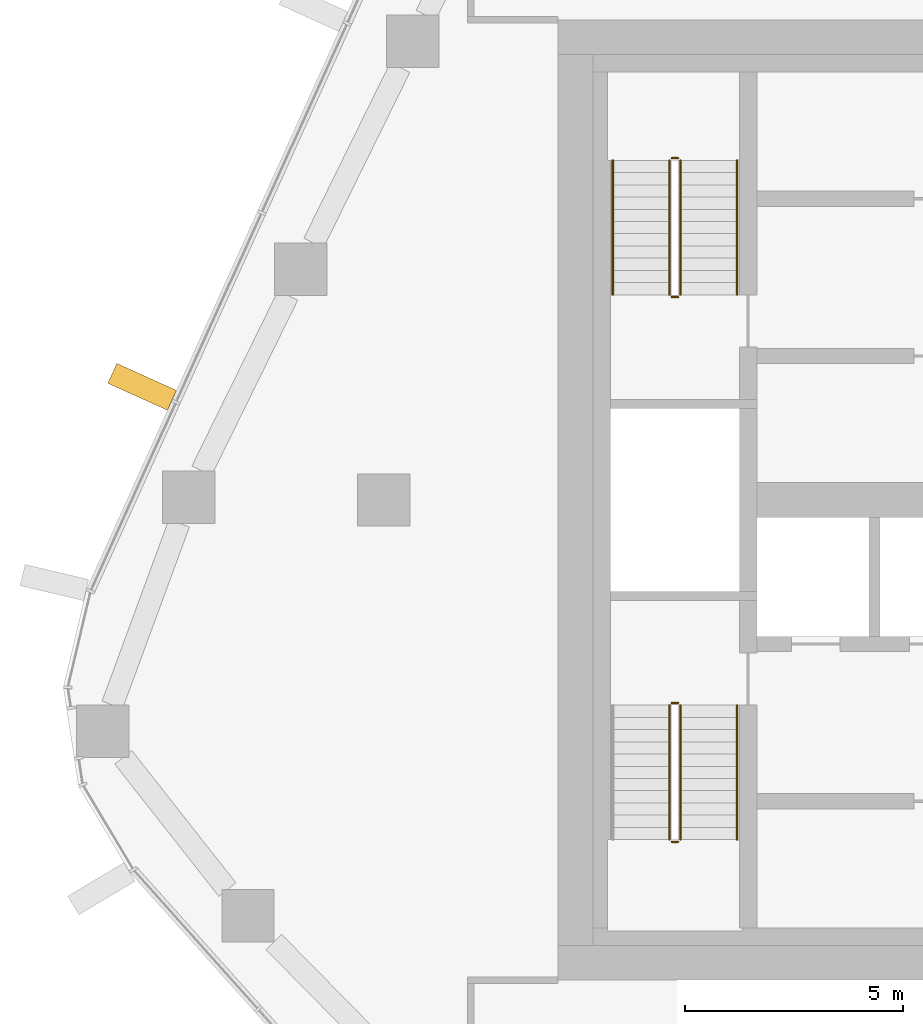
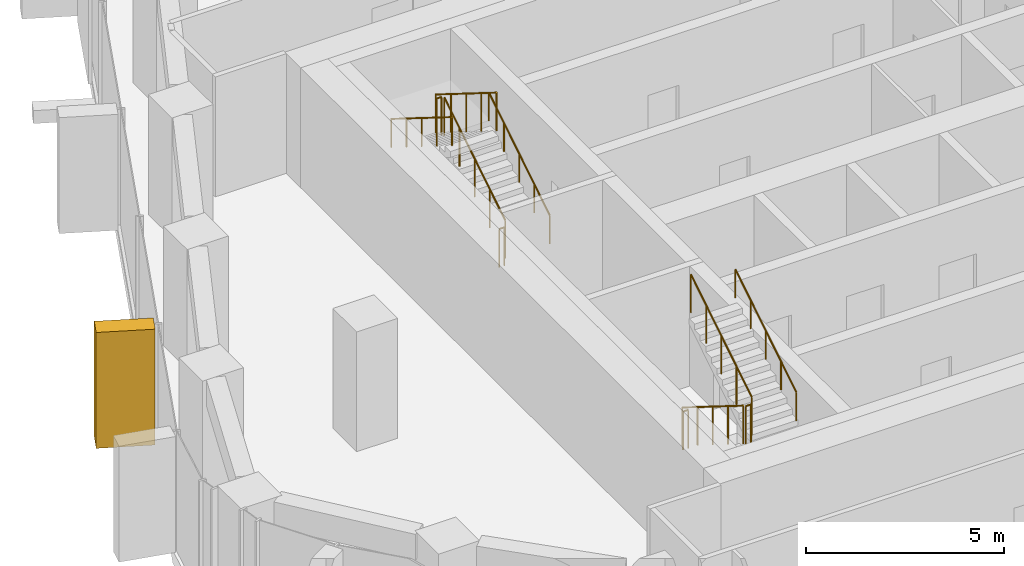
# One storey, part 15 of 17: 11 railings, 1 covering, 1 element without a shape of its own.
"""IFC4 building model written with IfcOpenShell, lengths in metres."""

from ifc_helpers import new_model, si_unit, direction, frame, origin, origin_2d, place, context, subcontext, project, spatial, rectangle, circle, extrude, material, layer, layer_set, material_profile, profile_set, type_object, element, aggregate, save


model = new_model("IFC4")

# Units and contexts
model_context = context("Model", 3, precision=1e-05, world=origin(), true_north=direction((0.0, 1.0)))
body_context = subcontext(model_context, "Body", "Model", "MODEL_VIEW")
ifc_project = project(units=[si_unit("LENGTHUNIT", "METRE"), si_unit("AREAUNIT", "SQUARE_METRE"), si_unit("VOLUMEUNIT", "CUBIC_METRE"), si_unit("PLANEANGLEUNIT", "RADIAN"), si_unit("MASSUNIT", "GRAM", prefix="KILO")], contexts=[model_context])

# Site, building, storey
site_placement = place(None, origin())
site = spatial("IfcSite", under=ifc_project, at=site_placement, CompositionType="ELEMENT")
building_placement = place(site_placement, origin())
building = spatial("IfcBuilding", under=site, at=building_placement, Name="Dongbaek Canopy Tower", CompositionType="ELEMENT")
storey_placement = place(building_placement, frame((0.0, 0.0, 179.60009765625)))
storey = spatial("IfcBuildingStorey", under=building, at=storey_placement, Name="L39", CompositionType="ELEMENT", Elevation=179.60009765625)

# Curtain wall, covering
ifc_material_1 = material(Name="Aluminium 6063-T6 pale anodised", Category="aluminium")
ifc_layer = layer(ifc_material_1, 0.199951171875)
ifc_layer_set = layer_set([ifc_layer], Name="CW-1 unitised tower curtain wall")
curtain_wall_type = type_object("IfcCurtainWallType", Name="CW-1 unitised tower curtain wall", PredefinedType="NOTDEFINED", material=ifc_layer_set)
curtain_wall_placement = place(storey_placement, origin())
curtain_wall = element("IfcCurtainWall", 1, at=curtain_wall_placement, inside=storey, type_object=curtain_wall_type, Name="CW-1 curtain wall F2.1", PredefinedType="NOTDEFINED")
ifc_material_2 = material(Name="Aluminium 6063-T6 pale metal fin", Category="aluminium")
ifc_material_profile = material_profile(ifc_material_2, rectangle(XDim=1.5, YDim=0.5, at=origin_2d()), Name="Fin FN1 500 x 1500 pale metal")
ifc_profile_set = profile_set([ifc_material_profile], Name="Aluminium 6063-T6 pale metal fin")
covering_type = type_object("IfcCoveringType", Name="Fin FN1 500 x 1500 pale metal", PredefinedType="CLADDING", material=ifc_profile_set)
covering_placement = place(storey_placement, frame((-23.53076171875, 2.59228515625, 0.119873046875), z_axis=(0.0, 0.0, 1.0), x_axis=(-0.911147578037, 0.412080199763, 0.0)))
covering = element("IfcCovering", 2, at=covering_placement, type_object=covering_type, Name="Fin F2.1.5", PredefinedType="CLADDING", context=body_context, shape_type="SweptSolid", body=[
    extrude(rectangle(XDim=1.5, YDim=0.5, at=origin_2d()), origin(), (0.0, 0.0, 1.0), 3.580078125),
])
aggregate(curtain_wall, [covering])

# Railings
ifc_material_3 = material(Name="Stainless steel tube and balusters", Category="steel")
railing_type_1 = type_object("IfcRailingType", Name="Stair guard 1200", PredefinedType="GUARDRAIL", material=ifc_material_3)
railing_1_placement = place(storey_placement, frame((-11.199951171875, 4.699951171875, 0.1748046875)))
element("IfcRailing", 3, at=railing_1_placement, inside=storey, type_object=railing_type_1, Name="L39 ST-C stair guard 1", PredefinedType="GUARDRAIL", context=body_context, shape_type="SweptSolid", body=[
    extrude(circle(Radius=0.02392578125, at=origin_2d()), frame((0.0, 0.0, 1.17578125), z_axis=(0.0, 0.847998304005, 0.529998940003), x_axis=(-1.0, 0.0, 0.0)), (0.0, 0.0, 1.0), 3.632080078125),
    extrude(circle(Radius=0.02099609375, at=origin_2d()), origin(), (0.0, 0.0, 1.0), 1.15185546875),
    extrude(circle(Radius=0.02099609375, at=origin_2d()), frame((0.0, 0.77001953125, 0.481201171875)), (0.0, 0.0, 1.0), 1.15185546875),
    extrude(circle(Radius=0.02099609375, at=origin_2d()), frame((0.0, 1.5400390625, 0.96240234375)), (0.0, 0.0, 1.0), 1.15185546875),
    extrude(circle(Radius=0.02099609375, at=origin_2d()), frame((0.0, 2.31005859375, 1.44384765625)), (0.0, 0.0, 1.0), 1.15185546875),
    extrude(circle(Radius=0.02099609375, at=origin_2d()), frame((0.0, 3.080078125, 1.925048828125)), (0.0, 0.0, 1.0), 1.15185546875),
])
railing_2_placement = place(storey_placement, frame((-11.25, 7.830078125, 2.099853515625)))
element("IfcRailing", 4, at=railing_2_placement, inside=storey, type_object=railing_type_1, Name="L39 ST-C stair guard 2", PredefinedType="GUARDRAIL", context=body_context, shape_type="SweptSolid", body=[
    extrude(circle(Radius=0.02392578125, at=origin_2d()), frame((0.0, 0.0, 1.17578125), z_axis=(-1.0, 0.0, 0.0), x_axis=(0.0, -1.0, 0.0)), (0.0, 0.0, 1.0), 0.14990234375),
    extrude(circle(Radius=0.02099609375, at=origin_2d()), origin(), (0.0, 0.0, 1.0), 1.15185546875),
    extrude(circle(Radius=0.02099609375, at=origin_2d()), frame((-0.14990234375, 0.0, 0.0)), (0.0, 0.0, 1.0), 1.15185546875),
])
railing_3_placement = place(storey_placement, frame((-11.449951171875, 7.780029296875, 2.27490234375)))
element("IfcRailing", 5, at=railing_3_placement, inside=storey, type_object=railing_type_1, Name="L39 ST-C stair guard 3", PredefinedType="GUARDRAIL", context=body_context, shape_type="SweptSolid", body=[
    extrude(circle(Radius=0.02392578125, at=origin_2d()), frame((0.0, 0.0, 1.17578125), z_axis=(0.0, -0.847998304005, 0.529998940003), x_axis=(1.0, 0.0, 0.0)), (0.0, 0.0, 1.0), 3.632080078125),
    extrude(circle(Radius=0.02099609375, at=origin_2d()), origin(), (0.0, 0.0, 1.0), 1.15185546875),
    extrude(circle(Radius=0.02099609375, at=origin_2d()), frame((0.0, -0.77001953125, 0.481201171875)), (0.0, 0.0, 1.0), 1.15185546875),
    extrude(circle(Radius=0.02099609375, at=origin_2d()), frame((0.0, -1.5400390625, 0.96240234375)), (0.0, 0.0, 1.0), 1.15185546875),
    extrude(circle(Radius=0.02099609375, at=origin_2d()), frame((0.0, -2.31005859375, 1.44384765625)), (0.0, 0.0, 1.0), 1.15185546875),
    extrude(circle(Radius=0.02099609375, at=origin_2d()), frame((0.0, -3.080078125, 1.925048828125)), (0.0, 0.0, 1.0), 1.15185546875),
])
railing_4_placement = place(storey_placement, frame((-11.25, 4.64990234375, 0.0)))
element("IfcRailing", 6, at=railing_4_placement, inside=storey, type_object=railing_type_1, Name="L39 ST-C stair guard 4", PredefinedType="GUARDRAIL", context=body_context, shape_type="SweptSolid", body=[
    extrude(circle(Radius=0.02392578125, at=origin_2d()), frame((0.0, 0.0, 1.17578125), z_axis=(-1.0, 0.0, 0.0), x_axis=(0.0, -1.0, 0.0)), (0.0, 0.0, 1.0), 0.14990234375),
    extrude(circle(Radius=0.02099609375, at=origin_2d()), origin(), (0.0, 0.0, 1.0), 1.15185546875),
    extrude(circle(Radius=0.02099609375, at=origin_2d()), frame((-0.14990234375, 0.0, 0.0)), (0.0, 0.0, 1.0), 1.15185546875),
])
railing_5_placement = place(storey_placement, frame((-11.449951171875, -4.699951171875, 0.1748046875)))
element("IfcRailing", 7, at=railing_5_placement, inside=storey, type_object=railing_type_1, Name="L39 ST-D stair guard 1", PredefinedType="GUARDRAIL", context=body_context, shape_type="SweptSolid", body=[
    extrude(circle(Radius=0.02392578125, at=origin_2d()), frame((0.0, 0.0, 1.17578125), z_axis=(0.0, -0.847998304005, 0.529998940003), x_axis=(1.0, 0.0, 0.0)), (0.0, 0.0, 1.0), 3.632080078125),
    extrude(circle(Radius=0.02099609375, at=origin_2d()), origin(), (0.0, 0.0, 1.0), 1.15185546875),
    extrude(circle(Radius=0.02099609375, at=origin_2d()), frame((0.0, -0.77001953125, 0.481201171875)), (0.0, 0.0, 1.0), 1.15185546875),
    extrude(circle(Radius=0.02099609375, at=origin_2d()), frame((0.0, -1.5400390625, 0.96240234375)), (0.0, 0.0, 1.0), 1.15185546875),
    extrude(circle(Radius=0.02099609375, at=origin_2d()), frame((0.0, -2.31005859375, 1.44384765625)), (0.0, 0.0, 1.0), 1.15185546875),
    extrude(circle(Radius=0.02099609375, at=origin_2d()), frame((0.0, -3.080078125, 1.925048828125)), (0.0, 0.0, 1.0), 1.15185546875),
])
railing_6_placement = place(storey_placement, frame((-11.39990234375, -7.830078125, 2.099853515625)))
element("IfcRailing", 8, at=railing_6_placement, inside=storey, type_object=railing_type_1, Name="L39 ST-D stair guard 2", PredefinedType="GUARDRAIL", context=body_context, shape_type="SweptSolid", body=[
    extrude(circle(Radius=0.02392578125, at=origin_2d()), frame((0.0, 0.0, 1.17578125), z_axis=(1.0, 0.0, 0.0), x_axis=(0.0, 1.0, 0.0)), (0.0, 0.0, 1.0), 0.14990234375),
    extrude(circle(Radius=0.02099609375, at=origin_2d()), origin(), (0.0, 0.0, 1.0), 1.15185546875),
    extrude(circle(Radius=0.02099609375, at=origin_2d()), frame((0.14990234375, 0.0, 0.0)), (0.0, 0.0, 1.0), 1.15185546875),
])
railing_7_placement = place(storey_placement, frame((-11.199951171875, -7.780029296875, 2.27490234375)))
element("IfcRailing", 9, at=railing_7_placement, inside=storey, type_object=railing_type_1, Name="L39 ST-D stair guard 3", PredefinedType="GUARDRAIL", context=body_context, shape_type="SweptSolid", body=[
    extrude(circle(Radius=0.02392578125, at=origin_2d()), frame((0.0, 0.0, 1.17578125), z_axis=(0.0, 0.847998304005, 0.529998940003), x_axis=(-1.0, 0.0, 0.0)), (0.0, 0.0, 1.0), 3.632080078125),
    extrude(circle(Radius=0.02099609375, at=origin_2d()), origin(), (0.0, 0.0, 1.0), 1.15185546875),
    extrude(circle(Radius=0.02099609375, at=origin_2d()), frame((0.0, 0.77001953125, 0.481201171875)), (0.0, 0.0, 1.0), 1.15185546875),
    extrude(circle(Radius=0.02099609375, at=origin_2d()), frame((0.0, 1.5400390625, 0.96240234375)), (0.0, 0.0, 1.0), 1.15185546875),
    extrude(circle(Radius=0.02099609375, at=origin_2d()), frame((0.0, 2.31005859375, 1.44384765625)), (0.0, 0.0, 1.0), 1.15185546875),
    extrude(circle(Radius=0.02099609375, at=origin_2d()), frame((0.0, 3.080078125, 1.925048828125)), (0.0, 0.0, 1.0), 1.15185546875),
])
railing_8_placement = place(storey_placement, frame((-11.39990234375, -4.64990234375, 0.0)))
element("IfcRailing", 10, at=railing_8_placement, inside=storey, type_object=railing_type_1, Name="L39 ST-D stair guard 4", PredefinedType="GUARDRAIL", context=body_context, shape_type="SweptSolid", body=[
    extrude(circle(Radius=0.02392578125, at=origin_2d()), frame((0.0, 0.0, 1.17578125), z_axis=(1.0, 0.0, 0.0), x_axis=(0.0, 1.0, 0.0)), (0.0, 0.0, 1.0), 0.14990234375),
    extrude(circle(Radius=0.02099609375, at=origin_2d()), origin(), (0.0, 0.0, 1.0), 1.15185546875),
    extrude(circle(Radius=0.02099609375, at=origin_2d()), frame((0.14990234375, 0.0, 0.0)), (0.0, 0.0, 1.0), 1.15185546875),
])
ifc_material_4 = material(Name="Stainless steel tube", Category="steel")
railing_type_2 = type_object("IfcRailingType", Name="Stair handrail 900", PredefinedType="HANDRAIL", material=ifc_material_4)
railing_9_placement = place(storey_placement, frame((-9.89990234375, 4.699951171875, 0.1748046875)))
element("IfcRailing", 11, at=railing_9_placement, inside=storey, type_object=railing_type_2, Name="L39 ST-C stair handrail 1", PredefinedType="HANDRAIL", context=body_context, shape_type="SweptSolid", body=[
    extrude(circle(Radius=0.02392578125, at=origin_2d()), frame((0.0, 0.0, 0.8759765625), z_axis=(0.0, 0.847998304005, 0.529998940003), x_axis=(-1.0, 0.0, 0.0)), (0.0, 0.0, 1.0), 3.632080078125),
    extrude(circle(Radius=0.02099609375, at=origin_2d()), origin(), (0.0, 0.0, 1.0), 0.851806640625),
    extrude(circle(Radius=0.02099609375, at=origin_2d()), frame((0.0, 0.77001953125, 0.481201171875)), (0.0, 0.0, 1.0), 0.851806640625),
    extrude(circle(Radius=0.02099609375, at=origin_2d()), frame((0.0, 1.5400390625, 0.96240234375)), (0.0, 0.0, 1.0), 0.851806640625),
    extrude(circle(Radius=0.02099609375, at=origin_2d()), frame((0.0, 2.31005859375, 1.44384765625)), (0.0, 0.0, 1.0), 0.851806640625),
    extrude(circle(Radius=0.02099609375, at=origin_2d()), frame((0.0, 3.080078125, 1.925048828125)), (0.0, 0.0, 1.0), 0.851806640625),
])
railing_10_placement = place(storey_placement, frame((-12.75, 7.780029296875, 2.27490234375)))
element("IfcRailing", 12, at=railing_10_placement, inside=storey, type_object=railing_type_2, Name="L39 ST-C stair handrail 2", PredefinedType="HANDRAIL", context=body_context, shape_type="SweptSolid", body=[
    extrude(circle(Radius=0.02392578125, at=origin_2d()), frame((0.0, 0.0, 0.8759765625), z_axis=(0.0, -0.847998304005, 0.529998940003), x_axis=(1.0, 0.0, 0.0)), (0.0, 0.0, 1.0), 3.632080078125),
    extrude(circle(Radius=0.02099609375, at=origin_2d()), origin(), (0.0, 0.0, 1.0), 0.851806640625),
    extrude(circle(Radius=0.02099609375, at=origin_2d()), frame((0.0, -0.77001953125, 0.481201171875)), (0.0, 0.0, 1.0), 0.851806640625),
    extrude(circle(Radius=0.02099609375, at=origin_2d()), frame((0.0, -1.5400390625, 0.96240234375)), (0.0, 0.0, 1.0), 0.851806640625),
    extrude(circle(Radius=0.02099609375, at=origin_2d()), frame((0.0, -2.31005859375, 1.44384765625)), (0.0, 0.0, 1.0), 0.851806640625),
    extrude(circle(Radius=0.02099609375, at=origin_2d()), frame((0.0, -3.080078125, 1.925048828125)), (0.0, 0.0, 1.0), 0.851806640625),
])
railing_11_placement = place(storey_placement, frame((-9.89990234375, -7.780029296875, 2.27490234375)))
element("IfcRailing", 13, at=railing_11_placement, inside=storey, type_object=railing_type_2, Name="L39 ST-D stair handrail 2", PredefinedType="HANDRAIL", context=body_context, shape_type="SweptSolid", body=[
    extrude(circle(Radius=0.02392578125, at=origin_2d()), frame((0.0, 0.0, 0.8759765625), z_axis=(0.0, 0.847998304005, 0.529998940003), x_axis=(-1.0, 0.0, 0.0)), (0.0, 0.0, 1.0), 3.632080078125),
    extrude(circle(Radius=0.02099609375, at=origin_2d()), origin(), (0.0, 0.0, 1.0), 0.851806640625),
    extrude(circle(Radius=0.02099609375, at=origin_2d()), frame((0.0, 0.77001953125, 0.481201171875)), (0.0, 0.0, 1.0), 0.851806640625),
    extrude(circle(Radius=0.02099609375, at=origin_2d()), frame((0.0, 1.5400390625, 0.96240234375)), (0.0, 0.0, 1.0), 0.851806640625),
    extrude(circle(Radius=0.02099609375, at=origin_2d()), frame((0.0, 2.31005859375, 1.44384765625)), (0.0, 0.0, 1.0), 0.851806640625),
    extrude(circle(Radius=0.02099609375, at=origin_2d()), frame((0.0, 3.080078125, 1.925048828125)), (0.0, 0.0, 1.0), 0.851806640625),
])

save(model, "model.ifc")
